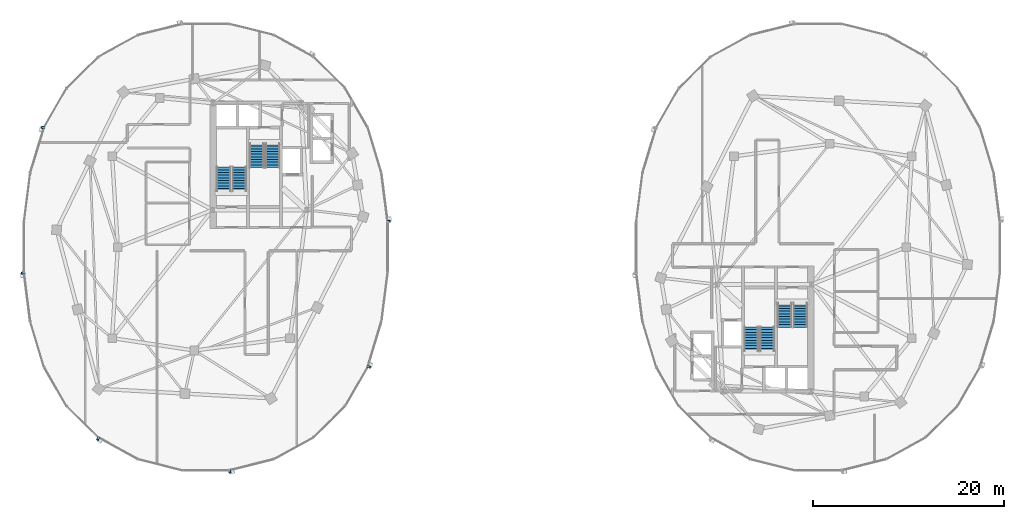
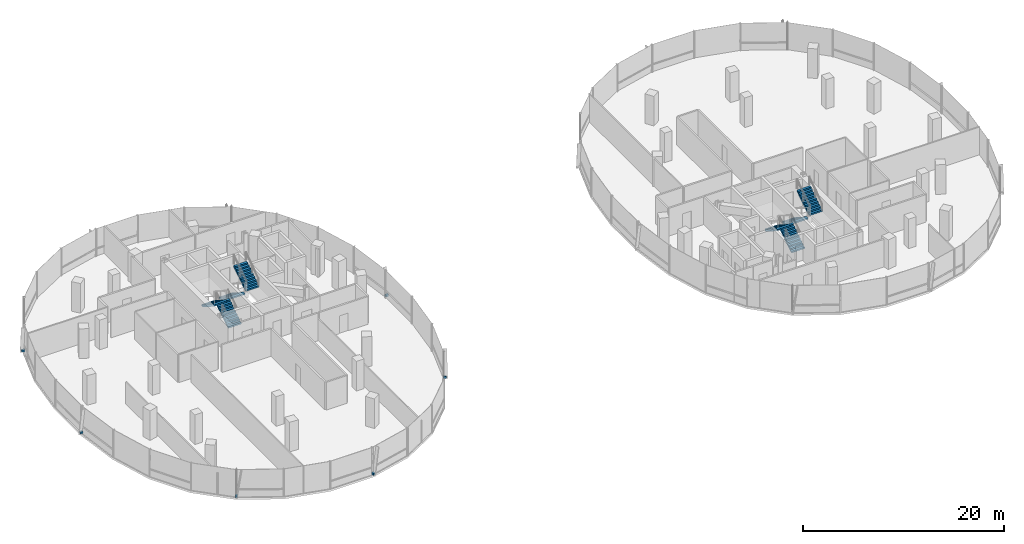
# One storey, part 15 of 22: 8 stair flights, 6 discrete accessories, 4 elements without a shape of their own.
"""IFC4 building model written with IfcOpenShell, lengths in metres."""

from ifc_helpers import new_model, si_unit, direction, frame, origin, origin_2d, place, context, subcontext, project, spatial, polyline, rectangle, outline, extrude, material, type_object, element, aggregate, save


model = new_model("IFC4")

# Units and contexts
model_context = context("Model", 3, precision=1e-05, world=origin(), true_north=direction((0.0, 1.0)))
body_context = subcontext(model_context, "Body", "Model", "MODEL_VIEW")
ifc_project = project(units=[si_unit("LENGTHUNIT", "METRE"), si_unit("AREAUNIT", "SQUARE_METRE"), si_unit("VOLUMEUNIT", "CUBIC_METRE"), si_unit("PLANEANGLEUNIT", "RADIAN"), si_unit("MASSUNIT", "GRAM", prefix="KILO"), si_unit("THERMODYNAMICTEMPERATUREUNIT", "KELVIN"), si_unit("POWERUNIT", "WATT")], contexts=[model_context])

# Site, building, storey
site_placement = place(None, origin())
site = spatial("IfcSite", under=ifc_project, at=site_placement, CompositionType="ELEMENT")
building_placement = place(site_placement, origin())
building = spatial("IfcBuilding", under=site, at=building_placement, Name="Cundina Bronze Exchange", CompositionType="ELEMENT")
storey_placement = place(building_placement, frame((0.0, 0.0, 140.39990234375)))
storey = spatial("IfcBuildingStorey", under=building, at=storey_placement, Name="L36", CompositionType="ELEMENT", Elevation=140.39990234375)

# Stair, stair flights
ifc_material_1 = material(Name="Concrete C40/50", Category="concrete")
stair_type = type_object("IfcStairType", Name="STR-OFF-360", PredefinedType="HALF_TURN_STAIR", material=ifc_material_1)
stair_1_placement = place(storey_placement, origin())
stair_1 = element("IfcStair", 1, at=stair_1_placement, inside=storey, type_object=stair_type, Name="L36 Smokeproof Exit Stair W1", PredefinedType="HALF_TURN_STAIR")
stair_flight_type = type_object("IfcStairFlightType", Name="FLG-OFF-180", PredefinedType="STRAIGHT", material=ifc_material_1)
stair_flight_1_placement = place(storey_placement, frame((-28.489990234375, 5.85009765625, 0.0), z_axis=(0.0, 0.0, 1.0), x_axis=(0.0, 1.0, 0.0)))
stair_flight_1 = element("IfcStairFlight", 2, at=stair_flight_1_placement, type_object=stair_flight_type, Name="ST-W1 flight 1", NumberOfRisers=10, NumberOfTreads=9, PredefinedType="STRAIGHT", RiserHeight=0.18, TreadLength=0.28, context=body_context, shape_type="SweptSolid", body=[
    extrude(outline(polyline([(0.0, 0.0), (0.0, 0.179931640625), (0.280029296875, 0.179931640625), (0.280029296875, 0.360107421875), (0.56005859375, 0.360107421875), (0.56005859375, 0.5400390625), (0.840087890625, 0.5400390625), (0.840087890625, 0.719970703125), (1.1201171875, 0.719970703125), (1.1201171875, 0.89990234375), (1.39990234375, 0.89990234375), (1.39990234375, 1.080078125), (1.679931640625, 1.080078125), (1.679931640625, 1.260009765625), (1.9599609375, 1.260009765625), (1.9599609375, 1.43994140625), (2.239990234375, 1.43994140625), (2.239990234375, 1.6201171875), (2.52001953125, 1.6201171875), (2.52001953125, 1.800048828125), (2.52001953125, 1.44189453125), (0.277099609375, 0.0), (0.0, 0.0)])), frame((0.0, 0.75, 0.0), z_axis=(0.0, -1.0, 0.0), x_axis=(1.0, 0.0, 0.0)), (0.0, 0.0, 1.0), 1.5),
])
stair_flight_2_placement = place(storey_placement, frame((-30.14990234375, 8.3701171875, 1.800048828125), z_axis=(0.0, 0.0, 1.0), x_axis=(0.0, -1.0, 0.0)))
stair_flight_2 = element("IfcStairFlight", 3, at=stair_flight_2_placement, type_object=stair_flight_type, Name="ST-W1 flight 2", NumberOfRisers=10, NumberOfTreads=9, PredefinedType="STRAIGHT", RiserHeight=0.18, TreadLength=0.28, context=body_context, shape_type="SweptSolid", body=[
    extrude(outline(polyline([(0.0, 0.0), (0.0, 0.179931640625), (0.280029296875, 0.179931640625), (0.280029296875, 0.360107421875), (0.56005859375, 0.360107421875), (0.56005859375, 0.5400390625), (0.840087890625, 0.5400390625), (0.840087890625, 0.719970703125), (1.1201171875, 0.719970703125), (1.1201171875, 0.89990234375), (1.39990234375, 0.89990234375), (1.39990234375, 1.080078125), (1.679931640625, 1.080078125), (1.679931640625, 1.260009765625), (1.9599609375, 1.260009765625), (1.9599609375, 1.43994140625), (2.239990234375, 1.43994140625), (2.239990234375, 1.6201171875), (2.52001953125, 1.6201171875), (2.52001953125, 1.800048828125), (2.52001953125, 1.44189453125), (0.277099609375, 0.0), (0.0, 0.0)])), frame((0.0, 0.75, 0.0), z_axis=(0.0, -1.0, 0.0), x_axis=(1.0, 0.0, 0.0)), (0.0, 0.0, 1.0), 1.5),
])
aggregate(stair_1, [stair_flight_1, stair_flight_2])

stair_2_placement = place(storey_placement, origin())
stair_2 = element("IfcStair", 4, at=stair_2_placement, inside=storey, type_object=stair_type, Name="L36 Smokeproof Exit Stair W2", PredefinedType="HALF_TURN_STAIR")
stair_flight_3_placement = place(storey_placement, frame((-26.68994140625, 10.85009765625, 0.0), z_axis=(0.0, 0.0, 1.0), x_axis=(0.0, -1.0, 0.0)))
stair_flight_3 = element("IfcStairFlight", 5, at=stair_flight_3_placement, type_object=stair_flight_type, Name="ST-W2 flight 1", NumberOfRisers=10, NumberOfTreads=9, PredefinedType="STRAIGHT", RiserHeight=0.18, TreadLength=0.28, context=body_context, shape_type="SweptSolid", body=[
    extrude(outline(polyline([(0.0, 0.0), (0.0, 0.179931640625), (0.280029296875, 0.179931640625), (0.280029296875, 0.360107421875), (0.56005859375, 0.360107421875), (0.56005859375, 0.5400390625), (0.840087890625, 0.5400390625), (0.840087890625, 0.719970703125), (1.1201171875, 0.719970703125), (1.1201171875, 0.89990234375), (1.39990234375, 0.89990234375), (1.39990234375, 1.080078125), (1.679931640625, 1.080078125), (1.679931640625, 1.260009765625), (1.9599609375, 1.260009765625), (1.9599609375, 1.43994140625), (2.239990234375, 1.43994140625), (2.239990234375, 1.6201171875), (2.52001953125, 1.6201171875), (2.52001953125, 1.800048828125), (2.52001953125, 1.44189453125), (0.277099609375, 0.0), (0.0, 0.0)])), frame((0.0, 0.75, 0.0), z_axis=(0.0, -1.0, 0.0), x_axis=(1.0, 0.0, 0.0)), (0.0, 0.0, 1.0), 1.5),
])
stair_flight_4_placement = place(storey_placement, frame((-25.030029296875, 8.330078125, 1.800048828125), z_axis=(0.0, 0.0, 1.0), x_axis=(0.0, 1.0, 0.0)))
stair_flight_4 = element("IfcStairFlight", 6, at=stair_flight_4_placement, type_object=stair_flight_type, Name="ST-W2 flight 2", NumberOfRisers=10, NumberOfTreads=9, PredefinedType="STRAIGHT", RiserHeight=0.18, TreadLength=0.28, context=body_context, shape_type="SweptSolid", body=[
    extrude(outline(polyline([(0.0, 0.0), (0.0, 0.179931640625), (0.280029296875, 0.179931640625), (0.280029296875, 0.360107421875), (0.56005859375, 0.360107421875), (0.56005859375, 0.5400390625), (0.840087890625, 0.5400390625), (0.840087890625, 0.719970703125), (1.1201171875, 0.719970703125), (1.1201171875, 0.89990234375), (1.39990234375, 0.89990234375), (1.39990234375, 1.080078125), (1.679931640625, 1.080078125), (1.679931640625, 1.260009765625), (1.9599609375, 1.260009765625), (1.9599609375, 1.43994140625), (2.239990234375, 1.43994140625), (2.239990234375, 1.6201171875), (2.52001953125, 1.6201171875), (2.52001953125, 1.800048828125), (2.52001953125, 1.44189453125), (0.277099609375, 0.0), (0.0, 0.0)])), frame((0.0, 0.75, 0.0), z_axis=(0.0, -1.0, 0.0), x_axis=(1.0, 0.0, 0.0)), (0.0, 0.0, 1.0), 1.5),
])
aggregate(stair_2, [stair_flight_3, stair_flight_4])

stair_3_placement = place(storey_placement, origin())
stair_3 = element("IfcStair", 7, at=stair_3_placement, inside=storey, type_object=stair_type, Name="L36 Smokeproof Exit Stair E1", PredefinedType="HALF_TURN_STAIR")
stair_flight_5_placement = place(storey_placement, frame((28.489990234375, -5.85009765625, 0.0), z_axis=(0.0, 0.0, 1.0), x_axis=(0.0, -1.0, 0.0)))
stair_flight_5 = element("IfcStairFlight", 8, at=stair_flight_5_placement, type_object=stair_flight_type, Name="ST-E1 flight 1", NumberOfRisers=10, NumberOfTreads=9, PredefinedType="STRAIGHT", RiserHeight=0.18, TreadLength=0.28, context=body_context, shape_type="SweptSolid", body=[
    extrude(outline(polyline([(0.0, 0.0), (0.0, 0.179931640625), (0.280029296875, 0.179931640625), (0.280029296875, 0.360107421875), (0.56005859375, 0.360107421875), (0.56005859375, 0.5400390625), (0.840087890625, 0.5400390625), (0.840087890625, 0.719970703125), (1.1201171875, 0.719970703125), (1.1201171875, 0.89990234375), (1.39990234375, 0.89990234375), (1.39990234375, 1.080078125), (1.679931640625, 1.080078125), (1.679931640625, 1.260009765625), (1.9599609375, 1.260009765625), (1.9599609375, 1.43994140625), (2.239990234375, 1.43994140625), (2.239990234375, 1.6201171875), (2.52001953125, 1.6201171875), (2.52001953125, 1.800048828125), (2.52001953125, 1.44189453125), (0.277099609375, 0.0), (0.0, 0.0)])), frame((0.0, 0.75, 0.0), z_axis=(0.0, -1.0, 0.0), x_axis=(1.0, 0.0, 0.0)), (0.0, 0.0, 1.0), 1.5),
])
stair_flight_6_placement = place(storey_placement, frame((30.14990234375, -8.3701171875, 1.800048828125), z_axis=(0.0, 0.0, 1.0), x_axis=(0.0, 1.0, 0.0)))
stair_flight_6 = element("IfcStairFlight", 9, at=stair_flight_6_placement, type_object=stair_flight_type, Name="ST-E1 flight 2", NumberOfRisers=10, NumberOfTreads=9, PredefinedType="STRAIGHT", RiserHeight=0.18, TreadLength=0.28, context=body_context, shape_type="SweptSolid", body=[
    extrude(outline(polyline([(0.0, 0.0), (0.0, 0.179931640625), (0.280029296875, 0.179931640625), (0.280029296875, 0.360107421875), (0.56005859375, 0.360107421875), (0.56005859375, 0.5400390625), (0.840087890625, 0.5400390625), (0.840087890625, 0.719970703125), (1.1201171875, 0.719970703125), (1.1201171875, 0.89990234375), (1.39990234375, 0.89990234375), (1.39990234375, 1.080078125), (1.679931640625, 1.080078125), (1.679931640625, 1.260009765625), (1.9599609375, 1.260009765625), (1.9599609375, 1.43994140625), (2.239990234375, 1.43994140625), (2.239990234375, 1.6201171875), (2.52001953125, 1.6201171875), (2.52001953125, 1.800048828125), (2.52001953125, 1.44189453125), (0.277099609375, 0.0), (0.0, 0.0)])), frame((0.0, 0.75, 0.0), z_axis=(0.0, -1.0, 0.0), x_axis=(1.0, 0.0, 0.0)), (0.0, 0.0, 1.0), 1.5),
])
aggregate(stair_3, [stair_flight_5, stair_flight_6])

stair_4_placement = place(storey_placement, origin())
stair_4 = element("IfcStair", 10, at=stair_4_placement, inside=storey, type_object=stair_type, Name="L36 Smokeproof Exit Stair E2", PredefinedType="HALF_TURN_STAIR")
stair_flight_7_placement = place(storey_placement, frame((26.68994140625, -10.85009765625, 0.0), z_axis=(0.0, 0.0, 1.0), x_axis=(0.0, 1.0, 0.0)))
stair_flight_7 = element("IfcStairFlight", 11, at=stair_flight_7_placement, type_object=stair_flight_type, Name="ST-E2 flight 1", NumberOfRisers=10, NumberOfTreads=9, PredefinedType="STRAIGHT", RiserHeight=0.18, TreadLength=0.28, context=body_context, shape_type="SweptSolid", body=[
    extrude(outline(polyline([(0.0, 0.0), (0.0, 0.179931640625), (0.280029296875, 0.179931640625), (0.280029296875, 0.360107421875), (0.56005859375, 0.360107421875), (0.56005859375, 0.5400390625), (0.840087890625, 0.5400390625), (0.840087890625, 0.719970703125), (1.1201171875, 0.719970703125), (1.1201171875, 0.89990234375), (1.39990234375, 0.89990234375), (1.39990234375, 1.080078125), (1.679931640625, 1.080078125), (1.679931640625, 1.260009765625), (1.9599609375, 1.260009765625), (1.9599609375, 1.43994140625), (2.239990234375, 1.43994140625), (2.239990234375, 1.6201171875), (2.52001953125, 1.6201171875), (2.52001953125, 1.800048828125), (2.52001953125, 1.44189453125), (0.277099609375, 0.0), (0.0, 0.0)])), frame((0.0, 0.75, 0.0), z_axis=(0.0, -1.0, 0.0), x_axis=(1.0, 0.0, 0.0)), (0.0, 0.0, 1.0), 1.5),
])
stair_flight_8_placement = place(storey_placement, frame((25.030029296875, -8.330078125, 1.800048828125), z_axis=(0.0, 0.0, 1.0), x_axis=(0.0, -1.0, 0.0)))
stair_flight_8 = element("IfcStairFlight", 12, at=stair_flight_8_placement, type_object=stair_flight_type, Name="ST-E2 flight 2", NumberOfRisers=10, NumberOfTreads=9, PredefinedType="STRAIGHT", RiserHeight=0.18, TreadLength=0.28, context=body_context, shape_type="SweptSolid", body=[
    extrude(outline(polyline([(0.0, 0.0), (0.0, 0.179931640625), (0.280029296875, 0.179931640625), (0.280029296875, 0.360107421875), (0.56005859375, 0.360107421875), (0.56005859375, 0.5400390625), (0.840087890625, 0.5400390625), (0.840087890625, 0.719970703125), (1.1201171875, 0.719970703125), (1.1201171875, 0.89990234375), (1.39990234375, 0.89990234375), (1.39990234375, 1.080078125), (1.679931640625, 1.080078125), (1.679931640625, 1.260009765625), (1.9599609375, 1.260009765625), (1.9599609375, 1.43994140625), (2.239990234375, 1.43994140625), (2.239990234375, 1.6201171875), (2.52001953125, 1.6201171875), (2.52001953125, 1.800048828125), (2.52001953125, 1.44189453125), (0.277099609375, 0.0), (0.0, 0.0)])), frame((0.0, 0.75, 0.0), z_axis=(0.0, -1.0, 0.0), x_axis=(1.0, 0.0, 0.0)), (0.0, 0.0, 1.0), 1.5),
])
aggregate(stair_4, [stair_flight_7, stair_flight_8])

# Discrete accessories
ifc_material_2 = material(Name="Anodised Bronze Aluminium 6063-T6", Category="aluminium")
discrete_accessory_type = type_object("IfcDiscreteAccessoryType", Name="ACC-BRK-FIN", PredefinedType="BRACKET", material=ifc_material_2)
for number, where, z_axis, x_axis, name in (
    (13, (-12.874267578125, 2.69189453125, 0.10009765625), (0.0, 0.0, 1.0), (-0.126475984253, 0.9919696696, 0.0), "L36 Fin Support Bracket 1"),
    (14, (-49.0458984375, 12.511962890625, 0.10009765625), (0.0, 0.0, 1.0), (-0.290050843957, -0.957011237092, 0.0), "L36 Fin Support Bracket 5"),
    (15, (-51.125732421875, -2.69189453125, 0.10009765625), (0.0, 0.0, 1.0), (0.126475984253, -0.9919696696, 0.0), "L36 Fin Support Bracket 1"),
    (16, (-43.266845703125, -20.015380859375, 0.10009765625), (0.0, 0.0, 1.0), (0.875869093438, -0.482548786301, 0.0), "L36 Fin Support Bracket 5"),
    (17, (-29.507080078125, -23.44970703125, 0.10009765625), (0.0, 0.0, 1.0), (0.970092713791, 0.242734683656, 0.0), "L36 Fin Support Bracket 1"),
    (18, (-14.9541015625, -12.511962890625, 0.10009765625), (0.0, 0.0, 1.0), (0.290050843957, 0.957011237092, 0.0), "L36 Fin Support Bracket 5"),
):
    element("IfcDiscreteAccessory", number, at=place(storey_placement, frame(where, z_axis=z_axis, x_axis=x_axis)), inside=storey, type_object=discrete_accessory_type, Name=name, PredefinedType="BRACKET", context=body_context, shape_type="SweptSolid", body=[
        extrude(rectangle(XDim=0.219970703125, YDim=0.320068359375, at=origin_2d()), origin(), (0.0, 0.0, 1.0), 0.239990234375),
    ])

save(model, "model.ifc")
